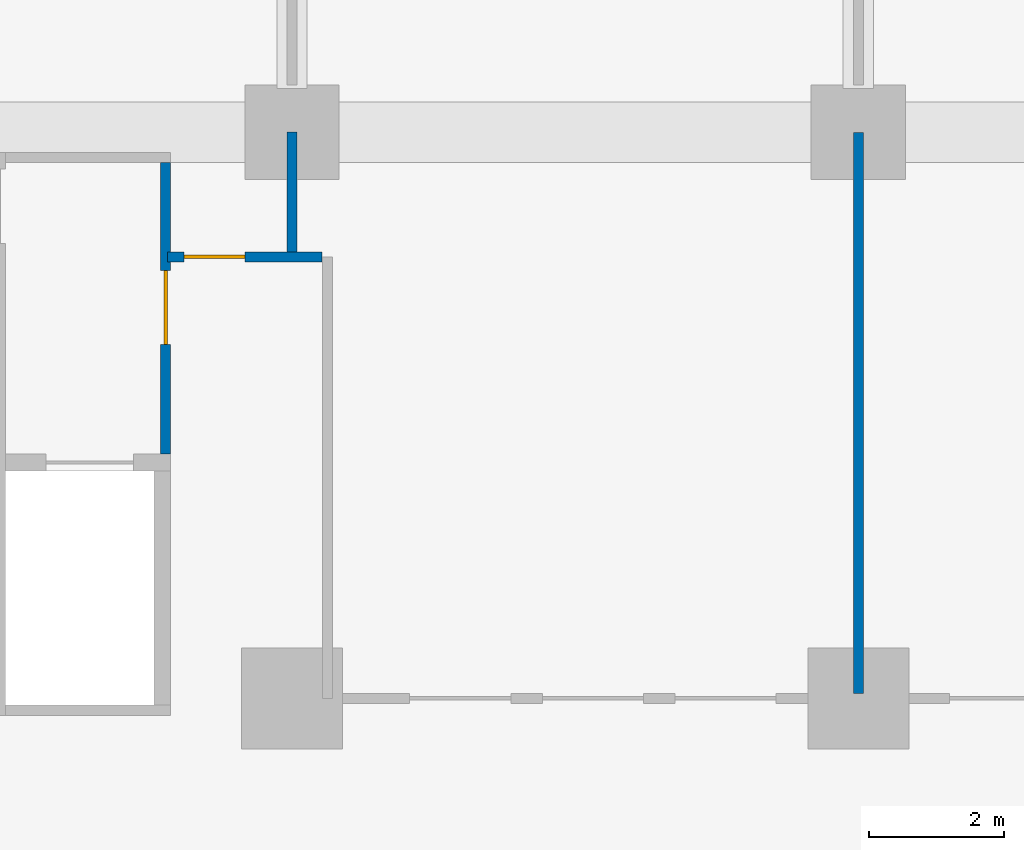
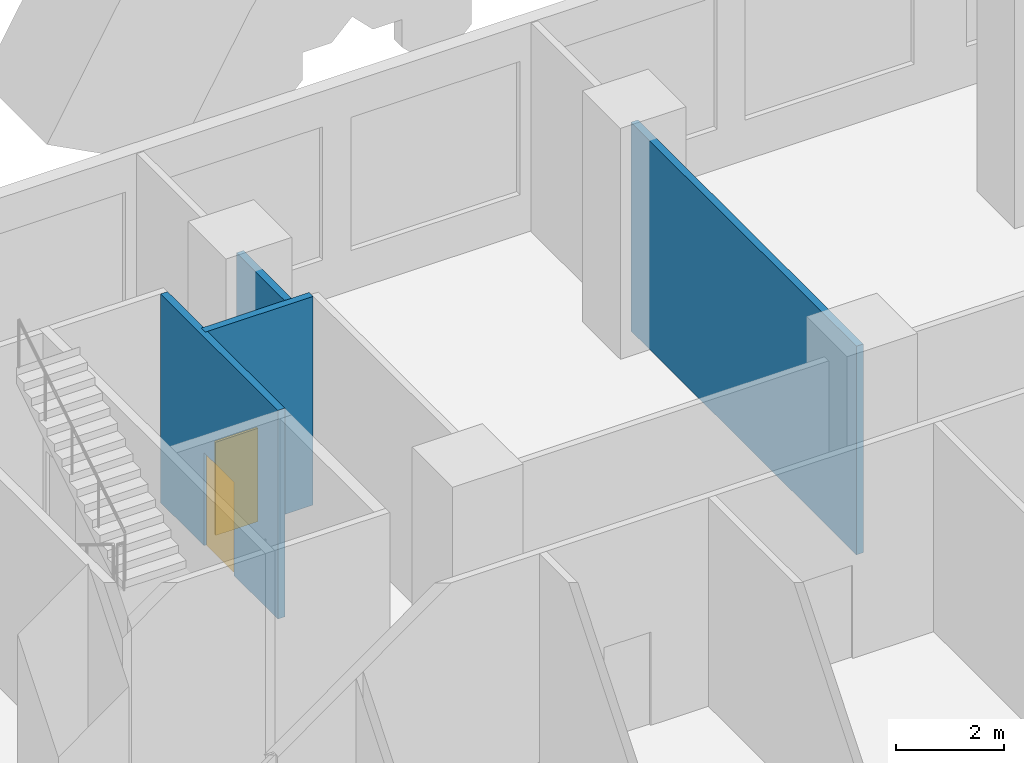
# One storey, part 14 of 25: 4 walls, 2 doors, 2 openings.
"""IFC4 building model written with IfcOpenShell, lengths in metres."""

from ifc_helpers import new_model, si_unit, direction, frame, frame_2d, origin, place, context, subcontext, project, spatial, rectangle, extrude, material, layer, layer_set, type_object, element, fill, save


model = new_model("IFC4")

# Units and contexts
model_context = context("Model", 3, precision=1e-05, world=origin(), true_north=direction((0.0, 1.0)))
body_context = subcontext(model_context, "Body", "Model", "MODEL_VIEW")
ifc_project = project(units=[si_unit("LENGTHUNIT", "METRE"), si_unit("AREAUNIT", "SQUARE_METRE"), si_unit("VOLUMEUNIT", "CUBIC_METRE"), si_unit("PLANEANGLEUNIT", "RADIAN"), si_unit("MASSUNIT", "GRAM", prefix="KILO")], contexts=[model_context])

# Site, building, storey
site_placement = place(None, origin())
site = spatial("IfcSite", under=ifc_project, at=site_placement, CompositionType="ELEMENT")
building_placement = place(site_placement, origin())
building = spatial("IfcBuilding", under=site, at=building_placement, Name="Kawkab Arch Medical Tower", CompositionType="ELEMENT")
storey_placement = place(building_placement, frame((0.0, 0.0, 29.0)))
storey = spatial("IfcBuildingStorey", under=building, at=storey_placement, Name="L06", CompositionType="ELEMENT", Elevation=29.0)

# Wall, opening, door
ifc_material_1 = material(Name="Gypsum board on steel studs", Category="steel")
ifc_layer_1 = layer(ifc_material_1, 0.14990234375)
ifc_layer_set_1 = layer_set([ifc_layer_1], Name="Gypsum board on steel studs")
wall_type_1 = type_object("IfcWallType", Name="Core room partition 150", PredefinedType="PARTITIONING", material=ifc_layer_set_1)
wall_1_placement = place(storey_placement, frame((48.52490234375, -4.77490234375, 0.0), z_axis=(0.0, 0.0, 1.0), x_axis=(0.0, 1.0, 0.0)))
wall_1 = element("IfcWall", 1, at=wall_1_placement, inside=storey, type_object=wall_type_1, Name="L06 core room partition", PredefinedType="PARTITIONING", context=body_context, shape_type="SweptSolid", body=[
    extrude(rectangle(XDim=4.324951171875, YDim=0.14990234375, at=frame_2d((2.16259765625, 0.0))), origin(), (0.0, 0.0, 1.0), 4.699951171875),
])
opening_1_placement = place(wall_1_placement, frame((1.625, 0.0, 0.0)))
opening_1 = element("IfcOpeningElement", 2, at=opening_1_placement, cuts=wall_1, Name="Opening FD", PredefinedType="OPENING", context=body_context, shape_type="SweptSolid", body=[
    extrude(rectangle(XDim=1.10009765625, YDim=2.10009765625, at=frame_2d((0.550048828125, 1.050048828125))), frame((0.0, 0.0849609375, 0.0), z_axis=(0.0, -1.0, 0.0), x_axis=(1.0, 0.0, 0.0)), (0.0, 0.0, 1.0), 0.169921875),
])
ifc_material_2 = material(Name="Hollow metal fire door leaf")
door_type_1 = type_object("IfcDoorType", Name="Firefighting lobby door 1100", OperationType="SINGLE_SWING_LEFT", PredefinedType="DOOR", material=ifc_material_2)
door_1_placement = place(opening_1_placement, origin())
door_1 = element("IfcDoor", 3, at=door_1_placement, inside=storey, type_object=door_type_1, Name="L06 Service lift lobby door SV1", OperationType="SINGLE_SWING_LEFT", OverallHeight=2.10009765625, OverallWidth=1.10009765625, PredefinedType="DOOR", context=body_context, shape_type="SweptSolid", body=[
    extrude(rectangle(XDim=1.10009765625, YDim=2.10009765625, at=frame_2d((0.550048828125, 1.050048828125))), frame((0.0, 0.02490234375, 0.0), z_axis=(0.0, -1.0, 0.0), x_axis=(1.0, 0.0, 0.0)), (0.0, 0.0, 1.0), 0.050048828125),
])
fill(opening_1, door_1)

ifc_material_3 = material(Name="Gypsum board partition on steel studs, mineral wool", Category="steel")
ifc_layer_2 = layer(ifc_material_3, 0.14990234375)
ifc_layer_set_2 = layer_set([ifc_layer_2], Name="Gypsum board partition on steel studs, mineral wool")
wall_type_2 = type_object("IfcWallType", Name="Partition 150", PredefinedType="PARTITIONING", material=ifc_layer_set_2)
wall_2_placement = place(storey_placement, frame((48.550048828125, -1.85009765625, 0.0), z_axis=(0.0, 0.0, 1.0), x_axis=(1.0, 0.0, 0.0)))
wall_2 = element("IfcWall", 4, at=wall_2_placement, inside=storey, type_object=wall_type_2, Name="Partition 150 w052", PredefinedType="PARTITIONING", context=body_context, shape_type="SweptSolid", body=[
    extrude(rectangle(XDim=2.2978515625, YDim=0.14990234375, at=frame_2d((1.14892578125, 0.0))), origin(), (0.0, 0.0, 1.0), 4.699951171875),
])
opening_2_placement = place(wall_2_placement, frame((0.25, 0.0, 0.0)))
opening_2 = element("IfcOpeningElement", 5, at=opening_2_placement, cuts=wall_2, Name="Opening P06-018", PredefinedType="OPENING", context=body_context, shape_type="SweptSolid", body=[
    extrude(rectangle(XDim=0.89990234375, YDim=2.10009765625, at=frame_2d((0.449951171875, 1.050048828125))), frame((0.0, 0.0849609375, 0.0), z_axis=(0.0, -1.0, 0.0), x_axis=(1.0, 0.0, 0.0)), (0.0, 0.0, 1.0), 0.169921875),
])
ifc_material_4 = material(Name="Hollow metal door leaf")
door_type_2 = type_object("IfcDoorType", Name="Single door 900x2100 FD30S", OperationType="NOTDEFINED", PredefinedType="DOOR", material=ifc_material_4)
door_2_placement = place(opening_2_placement, origin())
door_2 = element("IfcDoor", 6, at=door_2_placement, inside=storey, type_object=door_type_2, Name="Door P06-018", OperationType="SINGLE_SWING_LEFT", OverallHeight=2.10009765625, OverallWidth=0.89990234375, PredefinedType="DOOR", context=body_context, shape_type="SweptSolid", body=[
    extrude(rectangle(XDim=0.89990234375, YDim=2.10009765625, at=frame_2d((0.449951171875, 1.050048828125))), frame((0.0, 0.02490234375, 0.0), z_axis=(0.0, -1.0, 0.0), x_axis=(1.0, 0.0, 0.0)), (0.0, 0.0, 1.0), 0.050048828125),
])
fill(opening_2, door_2)

# Walls
wall_3_placement = place(storey_placement, frame((50.39990234375, -1.77490234375, 0.0), z_axis=(0.0, 0.0, 1.0), x_axis=(0.0, 1.0, 0.0)))
element("IfcWall", 7, at=wall_3_placement, inside=storey, type_object=wall_type_2, Name="Partition 150 w090", PredefinedType="PARTITIONING", context=body_context, shape_type="SweptSolid", body=[
    extrude(rectangle(XDim=1.77294921875, YDim=0.14990234375, at=frame_2d((0.886474609375, 0.0))), origin(), (0.0, 0.0, 1.0), 4.699951171875),
])
wall_4_placement = place(storey_placement, frame((58.800048828125, -8.324951171875, 0.0), z_axis=(0.0, 0.0, 1.0), x_axis=(0.0, 1.0, 0.0)))
element("IfcWall", 8, at=wall_4_placement, inside=storey, type_object=wall_type_2, Name="Partition 150 w097", PredefinedType="PARTITIONING", context=body_context, shape_type="SweptSolid", body=[
    extrude(rectangle(XDim=8.322021484375, YDim=0.14990234375, at=frame_2d((4.1611328125, 0.0))), origin(), (0.0, 0.0, 1.0), 4.699951171875),
])

save(model, "model.ifc")
